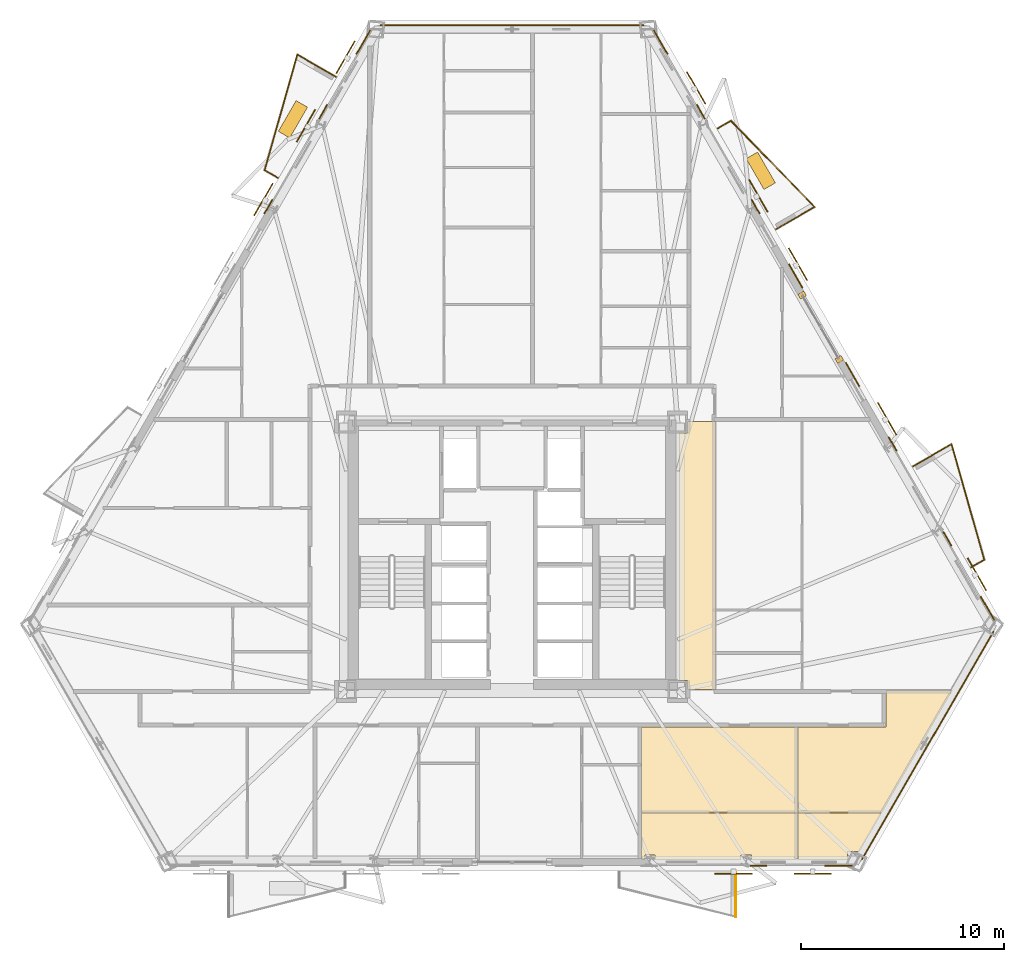
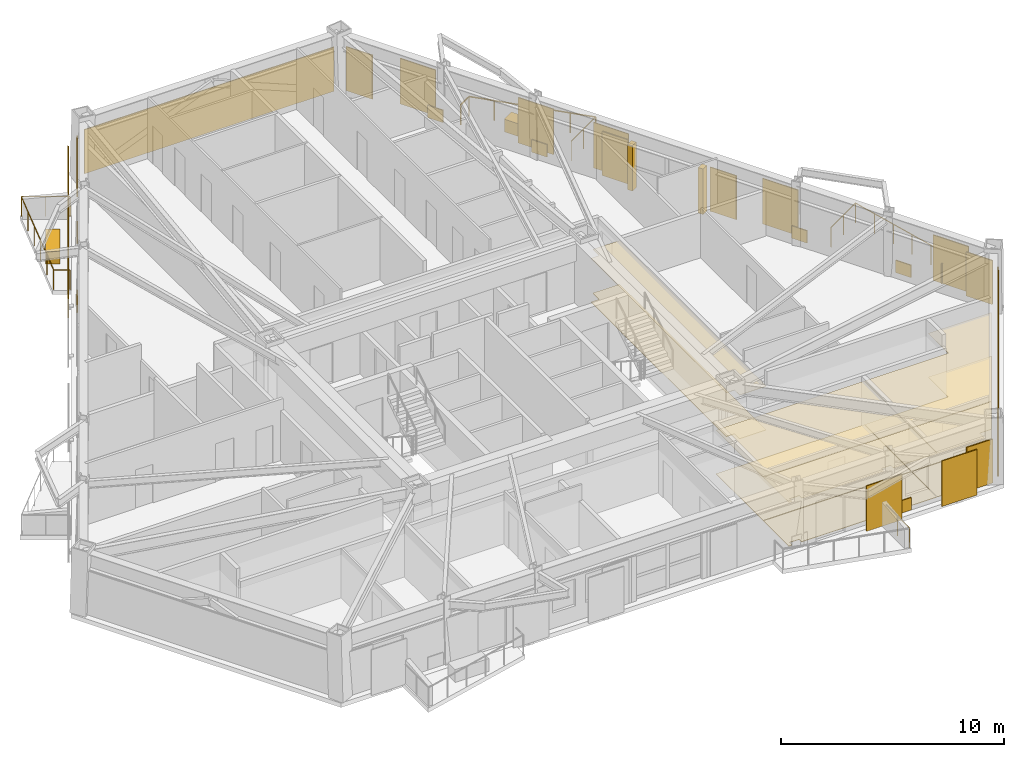
# One storey, part 17 of 17: 29 coverings, 10 railings, 10 shading devices.
"""IFC4 building model written with IfcOpenShell, lengths in metres."""

from ifc_helpers import new_model, si_unit, direction, frame, origin, origin_2d, place, context, subcontext, project, spatial, polyline, rectangle, circle, outline, extrude, material, layer, layer_set, type_object, element, save


model = new_model("IFC4")

# Units and contexts
model_context = context("Model", 3, precision=1e-05, world=origin(), true_north=direction((0.0, 1.0)))
body_context = subcontext(model_context, "Body", "Model", "MODEL_VIEW")
ifc_project = project(units=[si_unit("LENGTHUNIT", "METRE"), si_unit("AREAUNIT", "SQUARE_METRE"), si_unit("VOLUMEUNIT", "CUBIC_METRE"), si_unit("PLANEANGLEUNIT", "RADIAN"), si_unit("MASSUNIT", "GRAM", prefix="KILO")], contexts=[model_context])

# Site, building, storey
site_placement = place(None, origin())
site = spatial("IfcSite", under=ifc_project, at=site_placement, CompositionType="ELEMENT")
building_placement = place(site_placement, origin())
building = spatial("IfcBuilding", under=site, at=building_placement, Name="Oramaril Tower", CompositionType="ELEMENT")
storey_placement = place(building_placement, frame((0.0, 0.0, 70.5)))
storey = spatial("IfcBuildingStorey", under=building, at=storey_placement, Name="L18", CompositionType="ELEMENT", Elevation=70.5)

# Coverings
ifc_material_1 = material(Name="Mineral Fibre Acoustic Ceiling")
ifc_layer_1 = layer(ifc_material_1, 0.02001953125)
ifc_layer_set_1 = layer_set([ifc_layer_1], Name="CVT-CEIL")
covering_type_1 = type_object("IfcCoveringType", Name="CVT-CEIL", PredefinedType="CEILING", material=ifc_layer_set_1)
covering_1_placement = place(storey_placement, frame((0.0, 0.0, 2.39990234375)))
element("IfcCovering", 1, at=covering_1_placement, inside=storey, type_object=covering_type_1, Name="L18 Acoustic Suspended Ceiling 4", PredefinedType="CEILING", context=body_context, shape_type="SweptSolid", body=[
    extrude(outline(polyline([(47.530029296875, 11.050048828125), (46.14501953125, 11.050048828125), (46.14501953125, 11.4951171875), (45.719970703125, 11.4951171875), (45.719970703125, 23.655029296875), (46.14501953125, 23.655029296875), (46.14501953125, 24.219970703125), (47.530029296875, 24.219970703125), (47.530029296875, 11.050048828125)])), origin(), (0.0, 0.0, 1.0), 0.02001953125),
])
covering_2_placement = place(storey_placement, frame((0.0, 0.0, 2.39990234375)))
element("IfcCovering", 2, at=covering_2_placement, inside=storey, type_object=covering_type_1, Name="L18 Acoustic Suspended Ceiling 13", PredefinedType="CEILING", context=body_context, shape_type="SweptSolid", body=[
    extrude(outline(polyline([(51.5419921875, 4.9755859375), (43.862060546875, 4.9755859375), (43.862060546875, 7.3818359375), (43.86181640625, 7.3837890625), (43.861572265625, 7.3857421875), (43.861083984375, 7.3876953125), (43.860595703125, 7.389404296875), (43.859619140625, 7.39111328125), (43.859375, 7.391845703125), (43.859619140625, 7.392333984375), (43.860595703125, 7.39404296875), (43.861083984375, 7.39599609375), (43.861572265625, 7.39794921875), (43.86181640625, 7.39990234375), (43.862060546875, 7.40185546875), (43.862060546875, 9.199951171875), (51.5419921875, 9.199951171875), (51.5419921875, 4.9755859375)])), origin(), (0.0, 0.0, 1.0), 0.02001953125),
])
covering_3_placement = place(storey_placement, frame((0.0, 0.0, 2.39990234375)))
element("IfcCovering", 3, at=covering_3_placement, inside=storey, type_object=covering_type_1, Name="L18 Acoustic Suspended Ceiling 14", PredefinedType="CEILING", context=body_context, shape_type="SweptSolid", body=[
    extrude(outline(polyline([(49.27587890625, 2.891357421875), (48.7724609375, 2.891357421875), (48.7724609375, 2.668701171875), (44.524658203125, 2.668701171875), (44.524658203125, 2.891357421875), (44.033203125, 2.891357421875), (44.033203125, 2.668701171875), (43.862060546875, 2.668701171875), (43.862060546875, 4.95556640625), (51.5419921875, 4.95556640625), (51.5419921875, 2.668701171875), (49.27587890625, 2.668701171875), (49.27587890625, 2.891357421875)])), origin(), (0.0, 0.0, 1.0), 0.02001953125),
])
covering_4_placement = place(storey_placement, frame((0.0, 0.0, 2.39990234375)))
element("IfcCovering", 4, at=covering_4_placement, inside=storey, type_object=covering_type_1, Name="L18 Acoustic Suspended Ceiling 15", PredefinedType="CEILING", context=body_context, shape_type="SweptSolid", body=[
    extrude(outline(polyline([(59.1689453125, 10.991943359375), (55.6953125, 4.9755859375), (51.56201171875, 4.9755859375), (51.56201171875, 9.199951171875), (55.8798828125, 9.199951171875), (55.882080078125, 9.2001953125), (55.8837890625, 9.200439453125), (55.8857421875, 9.200927734375), (55.8876953125, 9.201416015625), (55.889404296875, 9.202392578125), (55.89111328125, 9.203369140625), (55.892578125, 9.20458984375), (55.89404296875, 9.205810546875), (55.8955078125, 9.207275390625), (55.896484375, 9.208984375), (55.897705078125, 9.210693359375), (55.8984375, 9.21240234375), (55.899169921875, 9.214111328125), (55.899658203125, 9.216064453125), (55.89990234375, 9.218017578125), (55.89990234375, 9.219970703125), (55.89990234375, 10.991943359375), (59.1689453125, 10.991943359375)])), origin(), (0.0, 0.0, 1.0), 0.02001953125),
])
covering_5_placement = place(storey_placement, frame((0.0, 0.0, 2.39990234375)))
element("IfcCovering", 5, at=covering_5_placement, inside=storey, type_object=covering_type_1, Name="L18 Acoustic Suspended Ceiling 16", PredefinedType="CEILING", context=body_context, shape_type="SweptSolid", body=[
    extrude(outline(polyline([(54.59765625, 3.074462890625), (54.005615234375, 3.074462890625), (54.005615234375, 2.668701171875), (51.56201171875, 2.668701171875), (51.56201171875, 4.95556640625), (55.68359375, 4.95556640625), (54.59765625, 3.074462890625)])), origin(), (0.0, 0.0, 1.0), 0.02001953125),
])
ifc_material_2 = material(Name="Warm Cream Limestone", Category="masonry")
ifc_layer_2 = layer(ifc_material_2, 0.050048828125)
ifc_layer_set_2 = layer_set([ifc_layer_2], Name="CVT-CLD")
covering_type_2 = type_object("IfcCoveringType", Name="CVT-CLD", PredefinedType="CLADDING", material=ifc_layer_set_2)
covering_6_placement = place(storey_placement, frame((53.57568359375, 2.36767578125, 0.0400390625), z_axis=(0.0, 0.0, 1.0), x_axis=(1.0, 0.0, 0.0)))
element("IfcCovering", 6, at=covering_6_placement, inside=storey, type_object=covering_type_2, Name="L18 Warm Cream Limestone Cladding", PredefinedType="CLADDING", context=body_context, shape_type="SweptSolid", body=[
    extrude(rectangle(XDim=1.35009765625, YDim=0.050048828125, at=origin_2d()), origin(), (0.0, 0.0, 1.0), 2.4140625),
])
covering_7_placement = place(storey_placement, frame((49.633544921875, 2.36767578125, 0.0400390625), z_axis=(0.0, 0.0, 1.0), x_axis=(1.0, 0.0, 0.0)))
element("IfcCovering", 7, at=covering_7_placement, inside=storey, type_object=covering_type_2, Name="L18 Warm Cream Limestone Spandrel Cladding", PredefinedType="CLADDING", context=body_context, shape_type="SweptSolid", body=[
    extrude(rectangle(XDim=0.800048828125, YDim=0.050048828125, at=origin_2d()), origin(), (0.0, 0.0, 1.0), 0.679931640625),
])
covering_8_placement = place(storey_placement, frame((57.956298828125, 8.28955078125, 0.0400390625), z_axis=(0.0, 0.0, 1.0), x_axis=(0.5, 0.866025403784, 0.0)))
element("IfcCovering", 8, at=covering_8_placement, inside=storey, type_object=covering_type_2, Name="L18 Warm Cream Limestone Cladding", PredefinedType="CLADDING", context=body_context, shape_type="SweptSolid", body=[
    extrude(rectangle(XDim=12.953369140625, YDim=0.050048828125, at=origin_2d()), origin(), (0.0, 0.0, 1.0), 2.4140625),
])
for number, where, z_axis, x_axis, name in (
    (9, (53.6044921875, 27.284912109375, 0.0), (0.0, 0.0, 1.0), (-0.5, 0.866025403784, 0.0), "L18 Curtain Wall Limestone Jamb Closure"),
    (10, (51.774658203125, 30.45458984375, 0.0), (0.0, 0.0, 1.0), (-0.5, 0.866025403784, 0.0), "L18 Curtain Wall Limestone Jamb Closure"),
):
    element("IfcCovering", number, at=place(storey_placement, frame(where, z_axis=z_axis, x_axis=x_axis)), inside=storey, type_object=covering_type_2, Name=name, PredefinedType="CLADDING", context=body_context, shape_type="SweptSolid", body=[
        extrude(rectangle(XDim=0.260009765625, YDim=0.340087890625, at=origin_2d()), origin(), (0.0, 0.0, 1.0), 2.493896484375),
    ])
for number, where, z_axis, x_axis, name in (
    (11, (60.89453125, 15.044189453125, 0.0400390625), (0.0, 0.0, 1.0), (-0.5, 0.866025403784, 0.0), "L18 Warm Cream Limestone Cladding"),
    (12, (54.256591796875, 26.541259765625, 0.0400390625), (0.0, 0.0, 1.0), (-0.5, 0.866025403784, 0.0), "L18 Warm Cream Limestone Cladding"),
):
    element("IfcCovering", number, at=place(storey_placement, frame(where, z_axis=z_axis, x_axis=x_axis)), inside=storey, type_object=covering_type_2, Name=name, PredefinedType="CLADDING", context=body_context, shape_type="SweptSolid", body=[
        extrude(rectangle(XDim=1.35009765625, YDim=0.050048828125, at=origin_2d()), origin(), (0.0, 0.0, 1.0), 2.4140625),
    ])
for number, where, z_axis, x_axis, name in (
    (13, (58.92333984375, 18.458251953125, 0.0400390625), (0.0, 0.0, 1.0), (-0.5, 0.866025403784, 0.0), "L18 Warm Cream Limestone Spandrel Cladding"),
    (14, (56.227783203125, 23.127197265625, 0.0400390625), (0.0, 0.0, 1.0), (-0.5, 0.866025403784, 0.0), "L18 Warm Cream Limestone Spandrel Cladding"),
):
    element("IfcCovering", number, at=place(storey_placement, frame(where, z_axis=z_axis, x_axis=x_axis)), inside=storey, type_object=covering_type_2, Name=name, PredefinedType="CLADDING", context=body_context, shape_type="SweptSolid", body=[
        extrude(rectangle(XDim=0.800048828125, YDim=0.050048828125, at=origin_2d()), origin(), (0.0, 0.0, 1.0), 0.679931640625),
    ])
for number, where, z_axis, x_axis, name in (
    (15, (51.456787109375, 31.39111328125, 0.0400390625), (0.0, 0.0, 1.0), (-0.5, 0.866025403784, 0.0), "L18 Warm Cream Limestone Cladding"),
    (16, (44.81884765625, 42.88818359375, 0.0400390625), (0.0, 0.0, 1.0), (-0.5, 0.866025403784, 0.0), "L18 Warm Cream Limestone Cladding"),
):
    element("IfcCovering", number, at=place(storey_placement, frame(where, z_axis=z_axis, x_axis=x_axis)), inside=storey, type_object=covering_type_2, Name=name, PredefinedType="CLADDING", context=body_context, shape_type="SweptSolid", body=[
        extrude(rectangle(XDim=1.35009765625, YDim=0.050048828125, at=origin_2d()), origin(), (0.0, 0.0, 1.0), 2.4140625),
    ])
for number, where, z_axis, x_axis, name in (
    (17, (49.485595703125, 34.80517578125, 0.0400390625), (0.0, 0.0, 1.0), (-0.5, 0.866025403784, 0.0), "L18 Warm Cream Limestone Spandrel Cladding"),
    (18, (46.7900390625, 39.47412109375, 0.0400390625), (0.0, 0.0, 1.0), (-0.5, 0.866025403784, 0.0), "L18 Warm Cream Limestone Spandrel Cladding"),
):
    element("IfcCovering", number, at=place(storey_placement, frame(where, z_axis=z_axis, x_axis=x_axis)), inside=storey, type_object=covering_type_2, Name=name, PredefinedType="CLADDING", context=body_context, shape_type="SweptSolid", body=[
        extrude(rectangle(XDim=0.800048828125, YDim=0.050048828125, at=origin_2d()), origin(), (0.0, 0.0, 1.0), 0.679931640625),
    ])
covering_9_placement = place(storey_placement, frame((37.5, 43.720703125, 0.0400390625), z_axis=(0.0, 0.0, 1.0), x_axis=(-1.0, 0.0, 0.0)))
element("IfcCovering", 19, at=covering_9_placement, inside=storey, type_object=covering_type_2, Name="L18 Warm Cream Limestone Cladding", PredefinedType="CLADDING", context=body_context, shape_type="SweptSolid", body=[
    extrude(rectangle(XDim=12.953369140625, YDim=0.050048828125, at=origin_2d()), origin(), (0.0, 0.0, 1.0), 2.4140625),
])
covering_10_placement = place(storey_placement, frame((30.18115234375, 42.88818359375, 0.0400390625), z_axis=(0.0, 0.0, 1.0), x_axis=(-0.5, -0.866025403784, 0.0)))
element("IfcCovering", 20, at=covering_10_placement, inside=storey, type_object=covering_type_2, Name="L18 Warm Cream Limestone Cladding", PredefinedType="CLADDING", context=body_context, shape_type="SweptSolid", body=[
    extrude(rectangle(XDim=1.35009765625, YDim=0.050048828125, at=origin_2d()), origin(), (0.0, 0.0, 1.0), 2.4140625),
])
for number, where, z_axis, x_axis, name in (
    (21, (28.210205078125, 39.47412109375, 0.0400390625), (0.0, 0.0, 1.0), (-0.5, -0.866025403784, 0.0), "L18 Warm Cream Limestone Spandrel Cladding"),
    (22, (25.514404296875, 34.80517578125, 0.0400390625), (0.0, 0.0, 1.0), (-0.5, -0.866025403784, 0.0), "L18 Warm Cream Limestone Spandrel Cladding"),
):
    element("IfcCovering", number, at=place(storey_placement, frame(where, z_axis=z_axis, x_axis=x_axis)), inside=storey, type_object=covering_type_2, Name=name, PredefinedType="CLADDING", context=body_context, shape_type="SweptSolid", body=[
        extrude(rectangle(XDim=0.800048828125, YDim=0.050048828125, at=origin_2d()), origin(), (0.0, 0.0, 1.0), 0.679931640625),
    ])
for number, where, z_axis, x_axis, name in (
    (23, (49.74169921875, 36.568603515625, 0.0), (0.0, 0.0, 1.0), (-0.5, 0.866025403784, 0.0), "L18 Structural Tree Planter Box L18-BAL-NE2"),
    (24, (26.720703125, 39.1015625, 0.0), (0.0, 0.0, 1.0), (-0.5, -0.866025403784, 0.0), "L18 Structural Tree Planter Box L18-BAL-NW1"),
):
    element("IfcCovering", number, at=place(storey_placement, frame(where, z_axis=z_axis, x_axis=x_axis)), inside=storey, type_object=covering_type_2, Name=name, PredefinedType="CLADDING", context=body_context, shape_type="SweptSolid", body=[
        extrude(rectangle(XDim=1.75, YDim=0.64990234375, at=origin_2d()), origin(), (0.0, 0.0, 1.0), 0.699951171875),
    ])
ifc_material_3 = material(Name="Honed Quartzite Stone Flooring", Category="masonry")
ifc_layer_3 = layer(ifc_material_3, 0.02490234375)
ifc_layer_set_3 = layer_set([ifc_layer_3], Name="CVT-FLR")
covering_type_3 = type_object("IfcCoveringType", Name="CVT-FLR", PredefinedType="FLOORING", material=ifc_layer_set_3)
covering_11_placement = place(storey_placement, origin())
element("IfcCovering", 25, at=covering_11_placement, inside=storey, type_object=covering_type_3, Name="L18 Honed Stone Floor Finish 4", PredefinedType="FLOORING", context=body_context, shape_type="SweptSolid", body=[
    extrude(outline(polyline([(47.530029296875, 11.050048828125), (46.14501953125, 11.050048828125), (46.14501953125, 11.4951171875), (45.719970703125, 11.4951171875), (45.719970703125, 23.655029296875), (46.14501953125, 23.655029296875), (46.14501953125, 24.219970703125), (47.530029296875, 24.219970703125), (47.530029296875, 11.050048828125)])), origin(), (0.0, 0.0, 1.0), 0.02490234375),
])
covering_12_placement = place(storey_placement, origin())
element("IfcCovering", 26, at=covering_12_placement, inside=storey, type_object=covering_type_3, Name="L18 Honed Stone Floor Finish 13", PredefinedType="FLOORING", context=body_context, shape_type="SweptSolid", body=[
    extrude(outline(polyline([(51.5419921875, 4.9755859375), (43.862060546875, 4.9755859375), (43.862060546875, 7.3818359375), (43.86181640625, 7.3837890625), (43.861572265625, 7.3857421875), (43.861083984375, 7.3876953125), (43.860595703125, 7.389404296875), (43.859619140625, 7.39111328125), (43.859375, 7.391845703125), (43.859619140625, 7.392333984375), (43.860595703125, 7.39404296875), (43.861083984375, 7.39599609375), (43.861572265625, 7.39794921875), (43.86181640625, 7.39990234375), (43.862060546875, 7.40185546875), (43.862060546875, 9.199951171875), (51.5419921875, 9.199951171875), (51.5419921875, 4.9755859375)])), origin(), (0.0, 0.0, 1.0), 0.02490234375),
])
covering_13_placement = place(storey_placement, origin())
element("IfcCovering", 27, at=covering_13_placement, inside=storey, type_object=covering_type_3, Name="L18 Honed Stone Floor Finish 14", PredefinedType="FLOORING", context=body_context, shape_type="SweptSolid", body=[
    extrude(outline(polyline([(49.27587890625, 2.891357421875), (48.7724609375, 2.891357421875), (48.7724609375, 2.668701171875), (44.524658203125, 2.668701171875), (44.524658203125, 2.891357421875), (44.033203125, 2.891357421875), (44.033203125, 2.668701171875), (43.862060546875, 2.668701171875), (43.862060546875, 4.95556640625), (51.5419921875, 4.95556640625), (51.5419921875, 2.668701171875), (49.27587890625, 2.668701171875), (49.27587890625, 2.891357421875)])), origin(), (0.0, 0.0, 1.0), 0.02490234375),
])
covering_14_placement = place(storey_placement, origin())
element("IfcCovering", 28, at=covering_14_placement, inside=storey, type_object=covering_type_3, Name="L18 Honed Stone Floor Finish 15", PredefinedType="FLOORING", context=body_context, shape_type="SweptSolid", body=[
    extrude(outline(polyline([(59.1689453125, 10.991943359375), (55.6953125, 4.9755859375), (51.56201171875, 4.9755859375), (51.56201171875, 9.199951171875), (55.8798828125, 9.199951171875), (55.882080078125, 9.2001953125), (55.8837890625, 9.200439453125), (55.8857421875, 9.200927734375), (55.8876953125, 9.201416015625), (55.889404296875, 9.202392578125), (55.89111328125, 9.203369140625), (55.892578125, 9.20458984375), (55.89404296875, 9.205810546875), (55.8955078125, 9.207275390625), (55.896484375, 9.208984375), (55.897705078125, 9.210693359375), (55.8984375, 9.21240234375), (55.899169921875, 9.214111328125), (55.899658203125, 9.216064453125), (55.89990234375, 9.218017578125), (55.89990234375, 9.219970703125), (55.89990234375, 10.991943359375), (59.1689453125, 10.991943359375)])), origin(), (0.0, 0.0, 1.0), 0.02490234375),
])
covering_15_placement = place(storey_placement, origin())
element("IfcCovering", 29, at=covering_15_placement, inside=storey, type_object=covering_type_3, Name="L18 Honed Stone Floor Finish 16", PredefinedType="FLOORING", context=body_context, shape_type="SweptSolid", body=[
    extrude(outline(polyline([(54.59765625, 3.074462890625), (54.005615234375, 3.074462890625), (54.005615234375, 2.668701171875), (51.56201171875, 2.668701171875), (51.56201171875, 4.95556640625), (55.68359375, 4.95556640625), (54.59765625, 3.074462890625)])), origin(), (0.0, 0.0, 1.0), 0.02490234375),
])

# Railings
ifc_material_4 = material(Name="Stainless Steel 316L", Category="steel")
railing_type = type_object("IfcRailingType", Name="RLT-GRD", PredefinedType="GUARDRAIL", material=ifc_material_4)
railing_1_placement = place(storey_placement, frame((48.50634765625, 2.052490234375, 0.0)))
element("IfcRailing", 30, at=railing_1_placement, inside=storey, type_object=railing_type, Name="L18 Balcony Guardrail L18-BAL-S2.1", PredefinedType="GUARDRAIL", context=body_context, shape_type="SweptSolid", body=[
    extrude(circle(Radius=0.02392578125, at=origin_2d()), frame((0.0, 0.0, 1.076171875), z_axis=(0.0, -1.0, 0.0), x_axis=(1.0, 0.0, 0.0)), (0.0, 0.0, 1.0), 2.19189453125),
    extrude(circle(Radius=0.02099609375, at=origin_2d()), origin(), (0.0, 0.0, 1.0), 1.052001953125),
    extrude(circle(Radius=0.02099609375, at=origin_2d()), frame((0.0, -1.095947265625, 0.0)), (0.0, 0.0, 1.0), 1.052001953125),
    extrude(circle(Radius=0.02099609375, at=origin_2d()), frame((0.0, -2.19189453125, 0.0)), (0.0, 0.0, 1.0), 1.052001953125),
])
railing_2_placement = place(storey_placement, frame((57.230224609375, 22.02099609375, 0.0)))
element("IfcRailing", 31, at=railing_2_placement, inside=storey, type_object=railing_type, Name="L18 Balcony Guardrail L18-BAL-NE1.1", PredefinedType="GUARDRAIL", context=body_context, shape_type="SweptSolid", body=[
    extrude(circle(Radius=0.02392578125, at=origin_2d()), frame((0.0, 0.0, 1.076171875), z_axis=(0.865972267571, 0.50009202333, 0.0), x_axis=(-0.50009202333, 0.865972267571, 0.0)), (0.0, 0.0, 1.0), 2.19189453125),
    extrude(circle(Radius=0.02099609375, at=origin_2d()), origin(), (0.0, 0.0, 1.0), 1.052001953125),
    extrude(circle(Radius=0.02099609375, at=origin_2d()), frame((0.94921875, 0.548095703125, 0.0)), (0.0, 0.0, 1.0), 1.052001953125),
    extrude(circle(Radius=0.02099609375, at=origin_2d()), frame((1.898193359375, 1.09619140625, 0.0)), (0.0, 0.0, 1.0), 1.052001953125),
])
railing_3_placement = place(storey_placement, frame((59.12841796875, 23.1171875, 0.0)))
element("IfcRailing", 32, at=railing_3_placement, inside=storey, type_object=railing_type, Name="L18 Balcony Guardrail L18-BAL-NE1.2", PredefinedType="GUARDRAIL", context=body_context, shape_type="SweptSolid", body=[
    extrude(circle(Radius=0.02392578125, at=origin_2d()), frame((0.0, 0.0, 1.076171875), z_axis=(0.272287109361, -0.962216051662, 0.0), x_axis=(0.962216051662, 0.272287109361, 0.0)), (0.0, 0.0, 1.0), 5.91064453125),
    extrude(circle(Radius=0.02099609375, at=origin_2d()), origin(), (0.0, 0.0, 1.0), 1.052001953125),
    extrude(circle(Radius=0.02099609375, at=origin_2d()), frame((0.32177734375, -1.137451171875, 0.0)), (0.0, 0.0, 1.0), 1.052001953125),
    extrude(circle(Radius=0.02099609375, at=origin_2d()), frame((0.643798828125, -2.27490234375, 0.0)), (0.0, 0.0, 1.0), 1.052001953125),
    extrude(circle(Radius=0.02099609375, at=origin_2d()), frame((0.965576171875, -3.412353515625, 0.0)), (0.0, 0.0, 1.0), 1.052001953125),
    extrude(circle(Radius=0.02099609375, at=origin_2d()), frame((1.28759765625, -4.5498046875, 0.0)), (0.0, 0.0, 1.0), 1.052001953125),
    extrude(circle(Radius=0.02099609375, at=origin_2d()), frame((1.609375, -5.687255859375, 0.0)), (0.0, 0.0, 1.0), 1.052001953125),
])
railing_4_placement = place(storey_placement, frame((60.73779296875, 17.429931640625, 0.0)))
element("IfcRailing", 33, at=railing_4_placement, inside=storey, type_object=railing_type, Name="L18 Balcony Guardrail L18-BAL-NE1.3", PredefinedType="GUARDRAIL", context=body_context, shape_type="SweptSolid", body=[
    extrude(circle(Radius=0.02392578125, at=origin_2d()), frame((0.0, 0.0, 1.076171875), z_axis=(-0.865966403178, -0.500102178127, 0.0), x_axis=(0.500102178127, -0.865966403178, 0.0)), (0.0, 0.0, 1.0), 0.741943359375),
    extrude(circle(Radius=0.02099609375, at=origin_2d()), origin(), (0.0, 0.0, 1.0), 1.052001953125),
    extrude(circle(Radius=0.02099609375, at=origin_2d()), frame((-0.642578125, -0.37109375, 0.0)), (0.0, 0.0, 1.0), 1.052001953125),
])
railing_5_placement = place(storey_placement, frame((47.62646484375, 38.655517578125, 0.0)))
element("IfcRailing", 34, at=railing_5_placement, inside=storey, type_object=railing_type, Name="L18 Balcony Guardrail L18-BAL-NE2.1", PredefinedType="GUARDRAIL", context=body_context, shape_type="SweptSolid", body=[
    extrude(circle(Radius=0.02392578125, at=origin_2d()), frame((0.0, 0.0, 1.076171875), z_axis=(0.866026623601, 0.49999788721, 0.0), x_axis=(-0.49999788721, 0.866026623601, 0.0)), (0.0, 0.0, 1.0), 0.74169921875),
    extrude(circle(Radius=0.02099609375, at=origin_2d()), origin(), (0.0, 0.0, 1.0), 1.052001953125),
    extrude(circle(Radius=0.02099609375, at=origin_2d()), frame((0.642333984375, 0.370849609375, 0.0)), (0.0, 0.0, 1.0), 1.052001953125),
])
railing_6_placement = place(storey_placement, frame((48.268798828125, 39.0263671875, 0.0)))
element("IfcRailing", 35, at=railing_6_placement, inside=storey, type_object=railing_type, Name="L18 Balcony Guardrail L18-BAL-NE2.2", PredefinedType="GUARDRAIL", context=body_context, shape_type="SweptSolid", body=[
    extrude(circle(Radius=0.02392578125, at=origin_2d()), frame((0.0, 0.0, 1.076171875), z_axis=(0.697186915353, -0.716889395277, 0.0), x_axis=(0.716889395277, 0.697186915353, 0.0)), (0.0, 0.0, 1.0), 5.91064453125),
    extrude(circle(Radius=0.02099609375, at=origin_2d()), origin(), (0.0, 0.0, 1.0), 1.052001953125),
    extrude(circle(Radius=0.02099609375, at=origin_2d()), frame((0.82421875, -0.847412109375, 0.0)), (0.0, 0.0, 1.0), 1.052001953125),
    extrude(circle(Radius=0.02099609375, at=origin_2d()), frame((1.6484375, -1.69482421875, 0.0)), (0.0, 0.0, 1.0), 1.052001953125),
    extrude(circle(Radius=0.02099609375, at=origin_2d()), frame((2.472412109375, -2.54248046875, 0.0)), (0.0, 0.0, 1.0), 1.052001953125),
    extrude(circle(Radius=0.02099609375, at=origin_2d()), frame((3.296630859375, -3.389892578125, 0.0)), (0.0, 0.0, 1.0), 1.052001953125),
    extrude(circle(Radius=0.02099609375, at=origin_2d()), frame((4.120849609375, -4.2373046875, 0.0)), (0.0, 0.0, 1.0), 1.052001953125),
])
railing_7_placement = place(storey_placement, frame((52.3896484375, 34.7890625, 0.0)))
element("IfcRailing", 36, at=railing_7_placement, inside=storey, type_object=railing_type, Name="L18 Balcony Guardrail L18-BAL-NE2.3", PredefinedType="GUARDRAIL", context=body_context, shape_type="SweptSolid", body=[
    extrude(circle(Radius=0.02392578125, at=origin_2d()), frame((0.0, 0.0, 1.076171875), z_axis=(-0.866020500697, -0.5000084923, 0.0), x_axis=(0.5000084923, -0.866020500697, 0.0)), (0.0, 0.0, 1.0), 2.19189453125),
    extrude(circle(Radius=0.02099609375, at=origin_2d()), origin(), (0.0, 0.0, 1.0), 1.052001953125),
    extrude(circle(Radius=0.02099609375, at=origin_2d()), frame((-0.94921875, -0.5478515625, 0.0)), (0.0, 0.0, 1.0), 1.052001953125),
    extrude(circle(Radius=0.02099609375, at=origin_2d()), frame((-1.898193359375, -1.095947265625, 0.0)), (0.0, 0.0, 1.0), 1.052001953125),
])
railing_8_placement = place(storey_placement, frame((25.97119140625, 36.226318359375, 0.0)))
element("IfcRailing", 37, at=railing_8_placement, inside=storey, type_object=railing_type, Name="L18 Balcony Guardrail L18-BAL-NW1.1", PredefinedType="GUARDRAIL", context=body_context, shape_type="SweptSolid", body=[
    extrude(circle(Radius=0.02392578125, at=origin_2d()), frame((0.0, 0.0, 1.076171875), z_axis=(-0.865966403178, 0.500102178127, 0.0), x_axis=(-0.500102178127, -0.865966403178, 0.0)), (0.0, 0.0, 1.0), 0.741943359375),
    extrude(circle(Radius=0.02099609375, at=origin_2d()), origin(), (0.0, 0.0, 1.0), 1.052001953125),
    extrude(circle(Radius=0.02099609375, at=origin_2d()), frame((-0.642578125, 0.37109375, 0.0)), (0.0, 0.0, 1.0), 1.052001953125),
])
railing_9_placement = place(storey_placement, frame((25.32861328125, 36.597412109375, 0.0)))
element("IfcRailing", 38, at=railing_9_placement, inside=storey, type_object=railing_type, Name="L18 Balcony Guardrail L18-BAL-NW1.2", PredefinedType="GUARDRAIL", context=body_context, shape_type="SweptSolid", body=[
    extrude(circle(Radius=0.02392578125, at=origin_2d()), frame((0.0, 0.0, 1.076171875), z_axis=(0.272259686627, 0.962223811303, 0.0), x_axis=(-0.962223811303, 0.272259686627, 0.0)), (0.0, 0.0, 1.0), 5.910400390625),
    extrude(circle(Radius=0.02099609375, at=origin_2d()), origin(), (0.0, 0.0, 1.0), 1.052001953125),
    extrude(circle(Radius=0.02099609375, at=origin_2d()), frame((0.32177734375, 1.137451171875, 0.0)), (0.0, 0.0, 1.0), 1.052001953125),
    extrude(circle(Radius=0.02099609375, at=origin_2d()), frame((0.6435546875, 2.27490234375, 0.0)), (0.0, 0.0, 1.0), 1.052001953125),
    extrude(circle(Radius=0.02099609375, at=origin_2d()), frame((0.965576171875, 3.412109375, 0.0)), (0.0, 0.0, 1.0), 1.052001953125),
    extrude(circle(Radius=0.02099609375, at=origin_2d()), frame((1.287353515625, 4.549560546875, 0.0)), (0.0, 0.0, 1.0), 1.052001953125),
    extrude(circle(Radius=0.02099609375, at=origin_2d()), frame((1.609130859375, 5.68701171875, 0.0)), (0.0, 0.0, 1.0), 1.052001953125),
])
railing_10_placement = place(storey_placement, frame((26.937744140625, 42.284423828125, 0.0)))
element("IfcRailing", 39, at=railing_10_placement, inside=storey, type_object=railing_type, Name="L18 Balcony Guardrail L18-BAL-NW1.3", PredefinedType="GUARDRAIL", context=body_context, shape_type="SweptSolid", body=[
    extrude(circle(Radius=0.02392578125, at=origin_2d()), frame((0.0, 0.0, 1.076171875), z_axis=(0.866048343933, -0.499960264392, 0.0), x_axis=(0.499960264392, 0.866048343933, 0.0)), (0.0, 0.0, 1.0), 2.192138671875),
    extrude(circle(Radius=0.02099609375, at=origin_2d()), origin(), (0.0, 0.0, 1.0), 1.052001953125),
    extrude(circle(Radius=0.02099609375, at=origin_2d()), frame((0.94921875, -0.5478515625, 0.0)), (0.0, 0.0, 1.0), 1.052001953125),
    extrude(circle(Radius=0.02099609375, at=origin_2d()), frame((1.8984375, -1.095947265625, 0.0)), (0.0, 0.0, 1.0), 1.052001953125),
])

# Shading devices
for number, where, z_axis, x_axis, name in (
    (40, (48.401123046875, 1.980712890625, -0.02001953125), (0.0, 0.0, 1.0), (1.0, 0.0, 0.0), "L18 Perforated Ceramic Solar Screen"),
    (41, (52.301025390625, 1.980712890625, -0.02001953125), (0.0, 0.0, 1.0), (1.0, 0.0, 0.0), "L18 Perforated Ceramic Solar Screen"),
    (42, (60.375732421875, 16.716796875, -0.02001953125), (0.0, 0.0, 1.0), (-0.4999984885, 0.866026276448, 0.0), "L18 Perforated Ceramic Solar Screen"),
    (43, (55.955810546875, 24.372314453125, -0.02001953125), (0.0, 0.0, 1.0), (-0.4999984885, 0.866026276448, 0.0), "L18 Perforated Ceramic Solar Screen"),
    (44, (46.560546875, 40.6455078125, -0.02001953125), (0.0, 0.0, 1.0), (-0.5, 0.866025403784, 0.0), "L18 Perforated Ceramic Solar Screen"),
    (45, (51.571044921875, 31.967041015625, -0.02001953125), (0.0, 0.0, 1.0), (-0.5, 0.866025403784, 0.0), "L18 Perforated Ceramic Solar Screen"),
    (46, (49.62109375, 35.344482421875, -0.02001953125), (0.0, 0.0, 1.0), (-0.5, 0.866025403784, 0.0), "L18 Perforated Ceramic Solar Screen"),
    (47, (29.3115234375, 42.156005859375, -0.02001953125), (0.0, 0.0, 1.0), (-0.4999984885, -0.866026276448, 0.0), "L18 Perforated Ceramic Solar Screen"),
    (48, (27.361572265625, 38.778564453125, -0.02001953125), (0.0, 0.0, 1.0), (-0.4999984885, -0.866026276448, 0.0), "L18 Perforated Ceramic Solar Screen"),
    (49, (25.269775390625, 35.155517578125, -0.02001953125), (0.0, 0.0, 1.0), (-0.4999984885, -0.866026276448, 0.0), "L18 Perforated Ceramic Solar Screen"),
):
    element("IfcShadingDevice", number, at=place(storey_placement, frame(where, z_axis=z_axis, x_axis=x_axis)), inside=storey, Name=name, ObjectType="SCREEN", PredefinedType="USERDEFINED", context=body_context, shape_type="SweptSolid", body=[
        extrude(rectangle(XDim=1.8330078125, YDim=0.050048828125, at=origin_2d()), origin(), (0.0, 0.0, 1.0), 2.493896484375),
    ])

save(model, "model.ifc")
